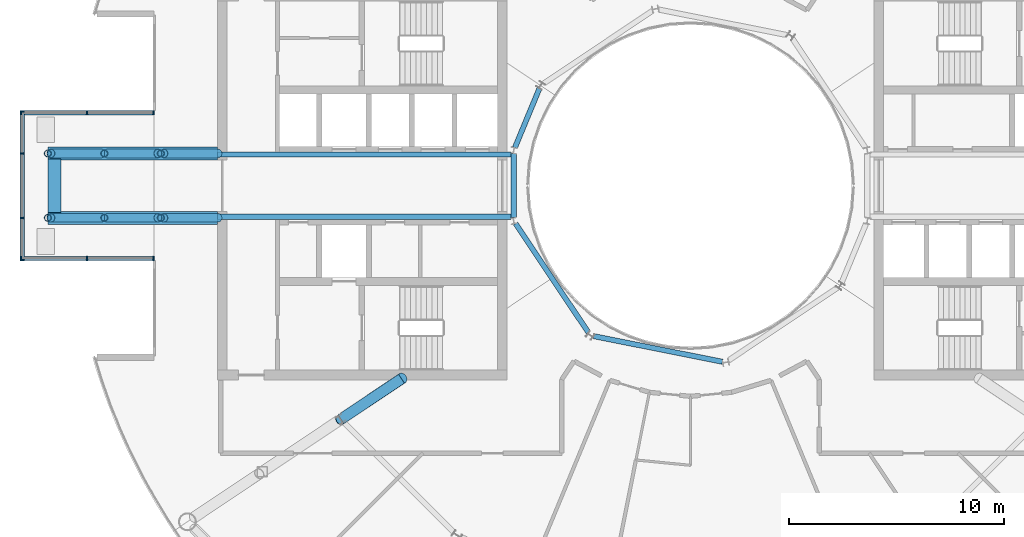
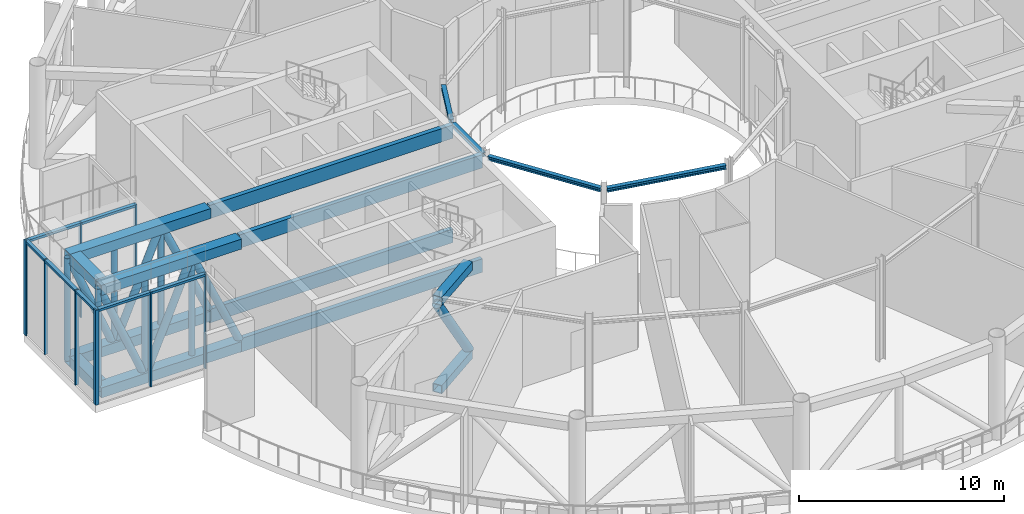
# One storey, part 6 of 24: 30 members, 16 beams, 3 elements without a shape of their own.
"""IFC4 building model written with IfcOpenShell, lengths in metres."""

import ifcopenshell
import ifcopenshell.guid

model = None  # the IFC model being written
_history = None  # IfcOwnerHistory: only IFC2X3 demands one
_inside = {}  # id of a spatial element -> (the spatial element, [elements in it])
_under = {}  # id of a project, library or spatial element -> (it, [spatial elements below it])
_declared = {}  # id of a project -> (the project, [libraries it declares])
_typed = {}  # id of a type object -> (the type object, [elements of that type])
_made_of = {}  # id of a material, layer set ... -> (it, [elements and type objects made of it])


def new_model(schema):
    """Start an empty IFC model of exactly this schema.

    Asked for "IFC4X3", IfcOpenShell would pick the latest addendum, in which some entities
    have other attributes; the version numbers below select the first issue.
    IFC2X3 requires an IfcOwnerHistory on every rooted entity: one is made here for all.
    """
    global model, _history
    if schema == "IFC4X3":
        model = ifcopenshell.file(schema_version=(4, 3, 0, 0))
    else:
        model = ifcopenshell.file(schema=schema)
    _inside.clear()
    _under.clear()
    _declared.clear()
    _typed.clear()
    _made_of.clear()
    _history = None
    if model.schema == "IFC2X3":
        org = make("IfcOrganization", Name="unknown")
        user = make(
            "IfcPersonAndOrganization",
            ThePerson=make("IfcPerson", FamilyName="unknown"),
            TheOrganization=org,
        )
        app = make(
            "IfcApplication",
            ApplicationDeveloper=org,
            Version="unknown",
            ApplicationFullName="unknown",
            ApplicationIdentifier="unknown",
        )
        _history = make(
            "IfcOwnerHistory",
            OwningUser=user,
            OwningApplication=app,
            ChangeAction="ADDED",
            CreationDate=0,
        )
    return model


def make(cls, **values):
    """One entity of the class cls with the attributes given. An attribute that is None is left unset."""
    return model.create_entity(
        cls, **{name: value for name, value in values.items() if value is not None}
    )


def rooted(cls, **values):
    """An entity with a GlobalId (a new one), such as an element, a storey or a relation."""
    return make(cls, GlobalId=ifcopenshell.guid.new(), OwnerHistory=_history, **values)


def si_unit(unit_type, name, prefix=None):
    """IfcSIUnit, for example si_unit("LENGTHUNIT", "METRE", prefix="MILLI")."""
    return make("IfcSIUnit", UnitType=unit_type, Prefix=prefix, Name=name)


def assignment(units):
    """IfcUnitAssignment: the units of a project."""
    return None if units is None else make("IfcUnitAssignment", Units=units)


def point(xyz):
    """IfcCartesianPoint."""
    return None if xyz is None else make("IfcCartesianPoint", Coordinates=xyz)


def direction(xyz):
    """IfcDirection."""
    return None if xyz is None else make("IfcDirection", DirectionRatios=xyz)


def frame(location, z_axis=None, x_axis=None):
    """IfcAxis2Placement3D, a coordinate frame: its origin and axes. An axis left out is left unset."""
    return make(
        "IfcAxis2Placement3D",
        Location=point(location),
        Axis=direction(z_axis),
        RefDirection=direction(x_axis),
    )


def frame_2d(location, x_axis=None):
    """IfcAxis2Placement2D, a coordinate frame in the plane: its origin and x axis."""
    return make(
        "IfcAxis2Placement2D", Location=point(location), RefDirection=direction(x_axis)
    )


def origin():
    """The frame at (0, 0, 0) with its axes left unset."""
    return frame((0.0, 0.0, 0.0))


def origin_2d():
    """The frame at (0, 0) in the plane with its x axis left unset."""
    return frame_2d((0.0, 0.0))


def place(relative_to, where):
    """IfcLocalPlacement: puts the frame where relative to a parent placement (None: the world)."""
    return make(
        "IfcLocalPlacement", PlacementRelTo=relative_to, RelativePlacement=where
    )


def context(
    kind, dimensions, precision=None, world=None, true_north=None, identifier=None
):
    """IfcGeometricRepresentationContext, for example the 3D "Model" context."""
    return make(
        "IfcGeometricRepresentationContext",
        ContextIdentifier=identifier,
        ContextType=kind,
        CoordinateSpaceDimension=dimensions,
        Precision=precision,
        WorldCoordinateSystem=world,
        TrueNorth=true_north,
    )


def subcontext(parent, identifier, kind, view, scale=None):
    """IfcGeometricRepresentationSubContext, for example "Body" below "Model"."""
    return make(
        "IfcGeometricRepresentationSubContext",
        ContextIdentifier=identifier,
        ContextType=kind,
        ParentContext=parent,
        TargetScale=scale,
        TargetView=view,
    )


def project(units=None, contexts=None):
    """IfcProject with its units and contexts."""
    return rooted(
        "IfcProject",
        Name="project",
        RepresentationContexts=contexts,
        UnitsInContext=assignment(units),
    )


def spatial(cls, under=None, at=None, **own):
    """A site, building, storey or space (cls), placed at a placement, below another one or the project."""
    s = rooted(cls, ObjectPlacement=at, **own)
    if under is not None:
        _under.setdefault(under.id(), (under, []))[1].append(s)
    return s


def profile(cls, at=None, kind="AREA", **sizes):
    """A parametric profile (cls). Its sizes go by their IFC names, for example OverallWidth=200.0."""
    return make(cls, ProfileType=kind, Position=at, **sizes)


def rectangle(**sizes):
    """IfcRectangleProfileDef."""
    return profile("IfcRectangleProfileDef", **sizes)


def hollow_rectangle(**sizes):
    """IfcRectangleHollowProfileDef."""
    return profile("IfcRectangleHollowProfileDef", **sizes)


def hollow_circle(**sizes):
    """IfcCircleHollowProfileDef."""
    return profile("IfcCircleHollowProfileDef", **sizes)


def i_section(**sizes):
    """IfcIShapeProfileDef."""
    return profile("IfcIShapeProfileDef", **sizes)


def extrude(swept, where, along, depth):
    """IfcExtrudedAreaSolid: the profile swept, set in the frame where, extruded along a direction by depth."""
    return make(
        "IfcExtrudedAreaSolid",
        SweptArea=swept,
        Position=where,
        ExtrudedDirection=direction(along),
        Depth=depth,
    )


def shape(context_of_items, identifier, shape_type, items):
    """IfcShapeRepresentation: the items that make up one representation, for example the "Body"."""
    return make(
        "IfcShapeRepresentation",
        ContextOfItems=context_of_items,
        RepresentationIdentifier=identifier,
        RepresentationType=shape_type,
        Items=items,
    )


def material(Name=None, Category=None):
    """IfcMaterial."""
    return make("IfcMaterial", Name=Name, Category=Category)


def layer(
    of_material, thickness, ventilated=None, Name=None, Category=None, Priority=None
):
    """IfcMaterialLayer: one layer of a wall or slab, of a material (None: an air gap)."""
    return make(
        "IfcMaterialLayer",
        Material=of_material,
        LayerThickness=thickness,
        IsVentilated=ventilated,
        Name=Name,
        Category=Category,
        Priority=Priority,
    )


def layer_set(layers, Name=None):
    """IfcMaterialLayerSet."""
    return make("IfcMaterialLayerSet", MaterialLayers=layers, LayerSetName=Name)


def material_profile(
    of_material, cross_section, Name=None, Category=None, Priority=None
):
    """IfcMaterialProfile: a cross section and its material."""
    return make(
        "IfcMaterialProfile",
        Name=Name,
        Material=of_material,
        Profile=cross_section,
        Priority=Priority,
        Category=Category,
    )


def profile_set(profiles, Name=None, composite=None):
    """IfcMaterialProfileSet."""
    return make(
        "IfcMaterialProfileSet",
        Name=Name,
        MaterialProfiles=profiles,
        CompositeProfile=composite,
    )


def made_of(thing, what):
    """Note that an element or type object is made of a material, layer set ...; save() writes the relation."""
    if what is not None:
        _made_of.setdefault(what.id(), (what, []))[1].append(thing)
    return thing


def type_object(cls, material=None, **own):
    """A type object (cls), such as IfcWallType, which elements share."""
    return made_of(rooted(cls, **own), material)


def element(
    cls,
    number,
    at=None,
    inside=None,
    cuts=None,
    type_object=None,
    material=None,
    context=None,
    identifier="Body",
    shape_type=None,
    held_by="IfcProductDefinitionShape",
    body=None,
    shapes=None,
    **own,
):
    """One element of the class cls, such as IfcWall. Its Tag is "e" and its number.

    at: its placement. inside: the storey or other place that contains it. cuts: it is an
    opening in that element (IfcRelVoidsElement). A single representation is given by context,
    identifier, shape_type and body (its items); several are given by shapes. held_by: the class
    of the entity that holds the representations. save() writes the other relations.
    """
    e = rooted(cls, Tag="e%d" % number, ObjectPlacement=at, **own)
    if body is not None:
        shapes = [shape(context, identifier, shape_type, body)]
    if shapes is not None:
        e.Representation = make(held_by, Representations=shapes)
    if inside is not None:
        _inside.setdefault(inside.id(), (inside, []))[1].append(e)
    if cuts is not None:
        rooted(
            "IfcRelVoidsElement", RelatingBuildingElement=cuts, RelatedOpeningElement=e
        )
    if type_object is not None:
        _typed.setdefault(type_object.id(), (type_object, []))[1].append(e)
    return made_of(e, material)


def aggregate(whole, parts):
    """IfcRelAggregates: a whole, such as a stair, and the parts it consists of."""
    return rooted("IfcRelAggregates", RelatingObject=whole, RelatedObjects=parts)


def save(model, path):
    """Write the relations noted so far, then the file.

    IfcRelAggregates (storeys below a building ...), IfcRelContainedInSpatialStructure (elements
    in a storey), IfcRelDefinesByType, IfcRelAssociatesMaterial and IfcRelDeclares: one each for
    every whole, place, type object, material and project.
    """
    for whole, parts in _under.values():
        aggregate(whole, parts)
    for where, things in _inside.values():
        rooted(
            "IfcRelContainedInSpatialStructure",
            RelatedElements=things,
            RelatingStructure=where,
        )
    for kind, things in _typed.values():
        rooted("IfcRelDefinesByType", RelatedObjects=things, RelatingType=kind)
    for what, things in _made_of.values():
        rooted("IfcRelAssociatesMaterial", RelatedObjects=things, RelatingMaterial=what)
    for by, libraries in _declared.values():
        rooted("IfcRelDeclares", RelatingContext=by, RelatedDefinitions=libraries)
    model.write(path)


model = new_model("IFC4")

# Units and contexts
model_context = context("Model", 3, precision=1e-05, world=origin(), true_north=direction((0.0, 1.0)))
body_context = subcontext(model_context, "Body", "Model", "MODEL_VIEW")
ifc_project = project(units=[si_unit("LENGTHUNIT", "METRE"), si_unit("AREAUNIT", "SQUARE_METRE"), si_unit("VOLUMEUNIT", "CUBIC_METRE"), si_unit("PLANEANGLEUNIT", "RADIAN"), si_unit("MASSUNIT", "GRAM", prefix="KILO")], contexts=[model_context])

# Site, building, storey
site_placement = place(None, origin())
site = spatial("IfcSite", under=ifc_project, at=site_placement, CompositionType="ELEMENT")
building_placement = place(site_placement, origin())
building = spatial("IfcBuilding", under=site, at=building_placement, Name="Maasbend Ring Residences", CompositionType="ELEMENT")
storey_placement = place(building_placement, frame((0.0, 0.0, 221.85009765625)))
storey = spatial("IfcBuildingStorey", under=building, at=storey_placement, Name="L64", CompositionType="ELEMENT", Elevation=221.85009765625)

# Curtain wall, members
ifc_material_1 = material(Name="Aluminium and clear glass", Category="aluminium")
ifc_layer = layer(ifc_material_1, 0.199951171875)
ifc_layer_set = layer_set([ifc_layer], Name="CW-GR")
curtain_wall_type = type_object("IfcCurtainWallType", Name="CW-GR", PredefinedType="NOTDEFINED", material=ifc_layer_set)
curtain_wall_1_placement = place(storey_placement, origin())
curtain_wall_1 = element("IfcCurtainWall", 1, at=curtain_wall_1_placement, inside=storey, type_object=curtain_wall_type, Name="Glass lounge curtain wall tip", PredefinedType="NOTDEFINED")
ifc_material_2 = material(Name="Aluminium 6063-T6", Category="aluminium")
ifc_material_profile_1 = material_profile(ifc_material_2, rectangle(XDim=0.199951171875, YDim=0.070068359375, at=origin_2d()), Name="AL 200x70")
ifc_profile_set_1 = profile_set([ifc_material_profile_1], Name="Aluminium 6063-T6")
member_type_1 = type_object("IfcMemberType", Name="CWM-GR", PredefinedType="MULLION", material=ifc_profile_set_1)
member_1_placement = place(storey_placement, frame((-31.14990234375, -3.465087890625, 0.0), z_axis=(0.0, 0.0, 1.0), x_axis=(-1.0, 0.0, 0.0)))
member_1 = element("IfcMember", 2, at=member_1_placement, type_object=member_type_1, Name="Mullion glass room", PredefinedType="MULLION", context=body_context, shape_type="SweptSolid", body=[
    extrude(rectangle(XDim=0.199951171875, YDim=0.070068359375, at=origin_2d()), origin(), (0.0, 0.0, 1.0), 5.64990234375),
])
member_2_placement = place(storey_placement, frame((-31.14990234375, -1.5, 0.0), z_axis=(0.0, 0.0, 1.0), x_axis=(-1.0, 0.0, 0.0)))
member_2 = element("IfcMember", 3, at=member_2_placement, type_object=member_type_1, Name="Mullion glass room", PredefinedType="MULLION", context=body_context, shape_type="SweptSolid", body=[
    extrude(rectangle(XDim=0.199951171875, YDim=0.070068359375, at=origin_2d()), origin(), (0.0, 0.0, 1.0), 5.64990234375),
])
member_3_placement = place(storey_placement, frame((-31.14990234375, 1.5, 0.0), z_axis=(0.0, 0.0, 1.0), x_axis=(-1.0, 0.0, 0.0)))
member_3 = element("IfcMember", 4, at=member_3_placement, type_object=member_type_1, Name="Mullion glass room", PredefinedType="MULLION", context=body_context, shape_type="SweptSolid", body=[
    extrude(rectangle(XDim=0.199951171875, YDim=0.070068359375, at=origin_2d()), origin(), (0.0, 0.0, 1.0), 5.64990234375),
])
member_4_placement = place(storey_placement, frame((-31.14990234375, 3.465087890625, 0.0), z_axis=(0.0, 0.0, 1.0), x_axis=(-1.0, 0.0, 0.0)))
member_4 = element("IfcMember", 5, at=member_4_placement, type_object=member_type_1, Name="Mullion glass room", PredefinedType="MULLION", context=body_context, shape_type="SweptSolid", body=[
    extrude(rectangle(XDim=0.199951171875, YDim=0.070068359375, at=origin_2d()), origin(), (0.0, 0.0, 1.0), 5.64990234375),
])

curtain_wall_2_placement = place(storey_placement, origin())
curtain_wall_2 = element("IfcCurtainWall", 6, at=curtain_wall_2_placement, inside=storey, type_object=curtain_wall_type, Name="Glass lounge curtain wall south", PredefinedType="NOTDEFINED")
member_5_placement = place(storey_placement, frame((-25.034912109375, -3.39990234375, 0.0), z_axis=(0.0, 0.0, 1.0), x_axis=(0.0, -1.0, 0.0)))
member_5 = element("IfcMember", 7, at=member_5_placement, type_object=member_type_1, Name="Mullion glass room", PredefinedType="MULLION", context=body_context, shape_type="SweptSolid", body=[
    extrude(rectangle(XDim=0.199951171875, YDim=0.070068359375, at=origin_2d()), origin(), (0.0, 0.0, 1.0), 5.64990234375),
])
member_6_placement = place(storey_placement, frame((-28.125, -3.39990234375, 0.0), z_axis=(0.0, 0.0, 1.0), x_axis=(0.0, -1.0, 0.0)))
member_6 = element("IfcMember", 8, at=member_6_placement, type_object=member_type_1, Name="Mullion glass room", PredefinedType="MULLION", context=body_context, shape_type="SweptSolid", body=[
    extrude(rectangle(XDim=0.199951171875, YDim=0.070068359375, at=origin_2d()), origin(), (0.0, 0.0, 1.0), 5.64990234375),
])
member_7_placement = place(storey_placement, frame((-31.215087890625, -3.39990234375, 0.0), z_axis=(0.0, 0.0, 1.0), x_axis=(0.0, -1.0, 0.0)))
member_7 = element("IfcMember", 9, at=member_7_placement, type_object=member_type_1, Name="Mullion glass room", PredefinedType="MULLION", context=body_context, shape_type="SweptSolid", body=[
    extrude(rectangle(XDim=0.199951171875, YDim=0.070068359375, at=origin_2d()), origin(), (0.0, 0.0, 1.0), 5.64990234375),
])

curtain_wall_3_placement = place(storey_placement, origin())
curtain_wall_3 = element("IfcCurtainWall", 10, at=curtain_wall_3_placement, inside=storey, type_object=curtain_wall_type, Name="Glass lounge curtain wall north", PredefinedType="NOTDEFINED")
member_8_placement = place(storey_placement, frame((-25.034912109375, 3.39990234375, 0.0), z_axis=(0.0, 0.0, 1.0), x_axis=(0.0, -1.0, 0.0)))
member_8 = element("IfcMember", 11, at=member_8_placement, type_object=member_type_1, Name="Mullion glass room", PredefinedType="MULLION", context=body_context, shape_type="SweptSolid", body=[
    extrude(rectangle(XDim=0.199951171875, YDim=0.070068359375, at=origin_2d()), origin(), (0.0, 0.0, 1.0), 5.64990234375),
])
member_9_placement = place(storey_placement, frame((-28.125, 3.39990234375, 0.0), z_axis=(0.0, 0.0, 1.0), x_axis=(0.0, -1.0, 0.0)))
member_9 = element("IfcMember", 12, at=member_9_placement, type_object=member_type_1, Name="Mullion glass room", PredefinedType="MULLION", context=body_context, shape_type="SweptSolid", body=[
    extrude(rectangle(XDim=0.199951171875, YDim=0.070068359375, at=origin_2d()), origin(), (0.0, 0.0, 1.0), 5.64990234375),
])
member_10_placement = place(storey_placement, frame((-31.215087890625, 3.39990234375, 0.0), z_axis=(0.0, 0.0, 1.0), x_axis=(0.0, -1.0, 0.0)))
member_10 = element("IfcMember", 13, at=member_10_placement, type_object=member_type_1, Name="Mullion glass room", PredefinedType="MULLION", context=body_context, shape_type="SweptSolid", body=[
    extrude(rectangle(XDim=0.199951171875, YDim=0.070068359375, at=origin_2d()), origin(), (0.0, 0.0, 1.0), 5.64990234375),
])

# Member
ifc_material_3 = material(Name="Aluminium 6063-T6", Category="aluminium")
ifc_material_profile_2 = material_profile(ifc_material_3, rectangle(XDim=0.199951171875, YDim=0.139892578125, at=origin_2d()), Name="AL 200x140")
ifc_profile_set_2 = profile_set([ifc_material_profile_2], Name="Aluminium 6063-T6")
member_type_2 = type_object("IfcMemberType", Name="CWT-GR", PredefinedType="USERDEFINED", material=ifc_profile_set_2)
member_11_placement = place(storey_placement, frame((-31.14990234375, -3.429931640625, 5.579833984375), z_axis=(0.0, 1.0, 0.0), x_axis=(-1.0, 0.0, 0.0)))
member_11 = element("IfcMember", 14, at=member_11_placement, type_object=member_type_2, Name="Transom glass room", ObjectType="TRANSOM", PredefinedType="USERDEFINED", context=body_context, shape_type="SweptSolid", body=[
    extrude(rectangle(XDim=0.199951171875, YDim=0.139892578125, at=origin_2d()), origin(), (0.0, 0.0, 1.0), 1.89501953125),
])

member_12_placement = place(storey_placement, frame((-31.14990234375, -1.465087890625, 5.579833984375), z_axis=(0.0, 1.0, 0.0), x_axis=(-1.0, 0.0, 0.0)))
member_12 = element("IfcMember", 15, at=member_12_placement, type_object=member_type_2, Name="Transom glass room", ObjectType="TRANSOM", PredefinedType="USERDEFINED", context=body_context, shape_type="SweptSolid", body=[
    extrude(rectangle(XDim=0.199951171875, YDim=0.139892578125, at=origin_2d()), origin(), (0.0, 0.0, 1.0), 2.93017578125),
])

member_13_placement = place(storey_placement, frame((-31.14990234375, 1.534912109375, 5.579833984375), z_axis=(0.0, 1.0, 0.0), x_axis=(-1.0, 0.0, 0.0)))
member_13 = element("IfcMember", 16, at=member_13_placement, type_object=member_type_2, Name="Transom glass room", ObjectType="TRANSOM", PredefinedType="USERDEFINED", context=body_context, shape_type="SweptSolid", body=[
    extrude(rectangle(XDim=0.199951171875, YDim=0.139892578125, at=origin_2d()), origin(), (0.0, 0.0, 1.0), 1.89501953125),
])

aggregate(curtain_wall_1, [member_1, member_2, member_3, member_4, member_11, member_12, member_13])

member_14_placement = place(storey_placement, frame((-25.070068359375, -3.39990234375, 5.579833984375), z_axis=(-1.0, 0.0, 0.0), x_axis=(0.0, -1.0, 0.0)))
member_14 = element("IfcMember", 17, at=member_14_placement, type_object=member_type_2, Name="Transom glass room", ObjectType="TRANSOM", PredefinedType="USERDEFINED", context=body_context, shape_type="SweptSolid", body=[
    extrude(rectangle(XDim=0.199951171875, YDim=0.139892578125, at=origin_2d()), origin(), (0.0, 0.0, 1.0), 3.02001953125),
])

member_15_placement = place(storey_placement, frame((-28.159912109375, -3.39990234375, 5.579833984375), z_axis=(-1.0, 0.0, 0.0), x_axis=(0.0, -1.0, 0.0)))
member_15 = element("IfcMember", 18, at=member_15_placement, type_object=member_type_2, Name="Transom glass room", ObjectType="TRANSOM", PredefinedType="USERDEFINED", context=body_context, shape_type="SweptSolid", body=[
    extrude(rectangle(XDim=0.199951171875, YDim=0.139892578125, at=origin_2d()), origin(), (0.0, 0.0, 1.0), 3.02001953125),
])

aggregate(curtain_wall_2, [member_5, member_6, member_7, member_14, member_15])

member_16_placement = place(storey_placement, frame((-25.070068359375, 3.39990234375, 5.579833984375), z_axis=(-1.0, 0.0, 0.0), x_axis=(0.0, -1.0, 0.0)))
member_16 = element("IfcMember", 19, at=member_16_placement, type_object=member_type_2, Name="Transom glass room", ObjectType="TRANSOM", PredefinedType="USERDEFINED", context=body_context, shape_type="SweptSolid", body=[
    extrude(rectangle(XDim=0.199951171875, YDim=0.139892578125, at=origin_2d()), origin(), (0.0, 0.0, 1.0), 3.02001953125),
])

member_17_placement = place(storey_placement, frame((-28.159912109375, 3.39990234375, 5.579833984375), z_axis=(-1.0, 0.0, 0.0), x_axis=(0.0, -1.0, 0.0)))
member_17 = element("IfcMember", 20, at=member_17_placement, type_object=member_type_2, Name="Transom glass room", ObjectType="TRANSOM", PredefinedType="USERDEFINED", context=body_context, shape_type="SweptSolid", body=[
    extrude(rectangle(XDim=0.199951171875, YDim=0.139892578125, at=origin_2d()), origin(), (0.0, 0.0, 1.0), 3.02001953125),
])

aggregate(curtain_wall_3, [member_8, member_9, member_10, member_16, member_17])

# Beams
ifc_material_4 = material(Name="Steel S460M", Category="steel")
ifc_material_profile_3 = material_profile(ifc_material_4, hollow_rectangle(XDim=0.25, YDim=0.800048828125, WallThickness=0.02490234375, at=origin_2d()), Name="Glass room back-span beam BX 800x250x25")
ifc_profile_set_3 = profile_set([ifc_material_profile_3], Name="Steel S460M")
beam_type_1 = type_object("IfcBeamType", Name="Glass room back-span beam BX 800x250x25", PredefinedType="BEAM", material=ifc_profile_set_3)
for number, where, z_axis, x_axis, name in (
    (21, (-22.050048828125, -1.449951171875, -0.85009765625), (1.0, 0.0, 0.0), (0.0, 1.0, 0.0), "Glass room lower back-span beam W"),
    (22, (-22.050048828125, -1.449951171875, 5.349853515625), (1.0, 0.0, 0.0), (0.0, 1.0, 0.0), "Glass room back-span beam W"),
    (23, (-22.050048828125, 1.449951171875, -0.85009765625), (1.0, 0.0, 0.0), (0.0, 1.0, 0.0), "Glass room lower back-span beam W"),
    (24, (-22.050048828125, 1.449951171875, 5.349853515625), (1.0, 0.0, 0.0), (0.0, 1.0, 0.0), "Glass room back-span beam W"),
):
    element("IfcBeam", number, at=place(storey_placement, frame(where, z_axis=z_axis, x_axis=x_axis)), inside=storey, type_object=beam_type_1, Name=name, PredefinedType="BEAM", context=body_context, shape_type="SweptSolid", body=[
        extrude(hollow_rectangle(XDim=0.25, YDim=0.800048828125, WallThickness=0.02490234375, at=origin_2d()), origin(), (0.0, 0.0, 1.0), 13.680908203125),
    ])
ifc_material_5 = material(Name="Steel S460M", Category="steel")
ifc_material_profile_4 = material_profile(ifc_material_5, hollow_rectangle(XDim=0.60009765625, YDim=0.60009765625, WallThickness=0.035888671875, at=origin_2d()), Name="Glass room truss chord BX 600x600x36")
ifc_profile_set_4 = profile_set([ifc_material_profile_4], Name="Steel S460M")
beam_type_2 = type_object("IfcBeamType", Name="Glass room truss chord BX 600x600x36", PredefinedType="BEAM", material=ifc_profile_set_4)
for number, where, z_axis, x_axis, name in (
    (25, (-22.050048828125, -1.5, -0.75), (-1.0, 0.0, 0.0), (0.0, -1.0, 0.0), "Glass room truss W"),
    (26, (-22.050048828125, -1.5, 5.349853515625), (-1.0, 0.0, 0.0), (0.0, -1.0, 0.0), "Glass room truss W"),
):
    element("IfcBeam", number, at=place(storey_placement, frame(where, z_axis=z_axis, x_axis=x_axis)), inside=storey, type_object=beam_type_2, Name=name, PredefinedType="BEAM", context=body_context, shape_type="SweptSolid", body=[
        extrude(hollow_rectangle(XDim=0.60009765625, YDim=0.60009765625, WallThickness=0.035888671875, at=origin_2d()), origin(), (0.0, 0.0, 1.0), 7.89990234375),
    ])
for number, where, z_axis, x_axis, name in (
    (27, (-29.64990234375, -1.25, 5.349853515625), (0.0, 1.0, 0.0), (-1.0, 0.0, 0.0), "Glass room tip beam W"),
    (28, (-29.64990234375, -1.25, -0.75), (0.0, 1.0, 0.0), (-1.0, 0.0, 0.0), "Glass room lower tip beam W"),
):
    element("IfcBeam", number, at=place(storey_placement, frame(where, z_axis=z_axis, x_axis=x_axis)), inside=storey, type_object=beam_type_2, Name=name, PredefinedType="BEAM", context=body_context, shape_type="SweptSolid", body=[
        extrude(hollow_rectangle(XDim=0.60009765625, YDim=0.60009765625, WallThickness=0.035888671875, at=origin_2d()), origin(), (0.0, 0.0, 1.0), 2.5),
    ])
for number, where, z_axis, x_axis, name in (
    (29, (-22.050048828125, 1.5, -0.75), (-1.0, 0.0, 0.0), (0.0, -1.0, 0.0), "Glass room truss W"),
    (30, (-22.050048828125, 1.5, 5.349853515625), (-1.0, 0.0, 0.0), (0.0, -1.0, 0.0), "Glass room truss W"),
):
    element("IfcBeam", number, at=place(storey_placement, frame(where, z_axis=z_axis, x_axis=x_axis)), inside=storey, type_object=beam_type_2, Name=name, PredefinedType="BEAM", context=body_context, shape_type="SweptSolid", body=[
        extrude(hollow_rectangle(XDim=0.60009765625, YDim=0.60009765625, WallThickness=0.035888671875, at=origin_2d()), origin(), (0.0, 0.0, 1.0), 7.89990234375),
    ])

# Members
ifc_material_6 = material(Name="Steel S460NH", Category="steel")
ifc_material_profile_5 = material_profile(ifc_material_6, hollow_circle(Radius=0.203125, WallThickness=0.01611328125, at=origin_2d()), Name="Glass room truss diagonal CHS 406.4x16")
ifc_profile_set_5 = profile_set([ifc_material_profile_5], Name="Steel S460NH")
member_type_3 = type_object("IfcMemberType", Name="Glass room truss diagonal CHS 406.4x16", PredefinedType="BRACE", material=ifc_profile_set_5)
member_18_placement = place(storey_placement, frame((-22.027587890625, -1.5, -0.5), z_axis=(-0.409880137983, 0.0, 0.912139393123), x_axis=(0.0, -1.0, 0.0)))
element("IfcMember", 31, at=member_18_placement, inside=storey, type_object=member_type_3, Name="Glass room truss W diagonal", PredefinedType="BRACE", context=body_context, shape_type="SweptSolid", body=[
    extrude(hollow_circle(Radius=0.203125, WallThickness=0.01611328125, at=origin_2d()), origin(), (0.0, 0.0, 1.0), 6.13916015625),
])
for number, where, z_axis, x_axis, name in (
    (32, (-24.82421875, -1.5, 5.099853515625), (-0.387179862374, 0.0, -0.922004205073), (0.0, -1.0, 0.0), "Glass room truss W diagonal"),
    (33, (-27.45751953125, -1.5, -0.5), (-0.387179862374, 0.0, 0.922004205073), (0.0, -1.0, 0.0), "Glass room truss W diagonal"),
):
    element("IfcMember", number, at=place(storey_placement, frame(where, z_axis=z_axis, x_axis=x_axis)), inside=storey, type_object=member_type_3, Name=name, PredefinedType="BRACE", context=body_context, shape_type="SweptSolid", body=[
        extrude(hollow_circle(Radius=0.203125, WallThickness=0.01611328125, at=origin_2d()), origin(), (0.0, 0.0, 1.0), 6.073486328125),
    ])
member_19_placement = place(storey_placement, frame((-22.027587890625, 1.5, -0.5), z_axis=(-0.409880137983, 0.0, 0.912139393123), x_axis=(0.0, -1.0, 0.0)))
element("IfcMember", 34, at=member_19_placement, inside=storey, type_object=member_type_3, Name="Glass room truss W diagonal", PredefinedType="BRACE", context=body_context, shape_type="SweptSolid", body=[
    extrude(hollow_circle(Radius=0.203125, WallThickness=0.01611328125, at=origin_2d()), origin(), (0.0, 0.0, 1.0), 6.13916015625),
])
for number, where, z_axis, x_axis, name in (
    (35, (-24.82421875, 1.5, 5.099853515625), (-0.387179862374, 0.0, -0.922004205073), (0.0, -1.0, 0.0), "Glass room truss W diagonal"),
    (36, (-27.45751953125, 1.5, -0.5), (-0.387179862374, 0.0, 0.922004205073), (0.0, -1.0, 0.0), "Glass room truss W diagonal"),
):
    element("IfcMember", number, at=place(storey_placement, frame(where, z_axis=z_axis, x_axis=x_axis)), inside=storey, type_object=member_type_3, Name=name, PredefinedType="BRACE", context=body_context, shape_type="SweptSolid", body=[
        extrude(hollow_circle(Radius=0.203125, WallThickness=0.01611328125, at=origin_2d()), origin(), (0.0, 0.0, 1.0), 6.073486328125),
    ])
ifc_material_7 = material(Name="Steel S460NH", Category="steel")
ifc_material_profile_6 = material_profile(ifc_material_7, hollow_circle(Radius=0.161865234375, WallThickness=0.012451171875, at=origin_2d()), Name="Glass room truss post CHS 323.9x12.5")
ifc_profile_set_6 = profile_set([ifc_material_profile_6], Name="Steel S460NH")
member_type_4 = type_object("IfcMemberType", Name="Glass room truss post CHS 323.9x12.5", PredefinedType="POST", material=ifc_profile_set_6)
for number, where, z_axis, x_axis, name in (
    (37, (-24.683349609375, -1.5, -0.4501953125), (0.0, 0.0, 1.0), (1.0, 0.0, 0.0), "Glass room truss W post"),
    (38, (-27.316650390625, -1.5, -0.4501953125), (0.0, 0.0, 1.0), (1.0, 0.0, 0.0), "Glass room truss W post"),
):
    element("IfcMember", number, at=place(storey_placement, frame(where, z_axis=z_axis, x_axis=x_axis)), inside=storey, type_object=member_type_4, Name=name, PredefinedType="POST", context=body_context, shape_type="SweptSolid", body=[
        extrude(hollow_circle(Radius=0.161865234375, WallThickness=0.012451171875, at=origin_2d()), origin(), (0.0, 0.0, 1.0), 5.5),
    ])
member_20_placement = place(storey_placement, frame((-29.949951171875, -1.5, -0.75), z_axis=(0.0, 0.0, 1.0), x_axis=(1.0, 0.0, 0.0)))
element("IfcMember", 39, at=member_20_placement, inside=storey, type_object=member_type_4, Name="Glass room truss W post", PredefinedType="POST", context=body_context, shape_type="SweptSolid", body=[
    extrude(hollow_circle(Radius=0.161865234375, WallThickness=0.012451171875, at=origin_2d()), origin(), (0.0, 0.0, 1.0), 6.099853515625),
])
for number, where, z_axis, x_axis, name in (
    (40, (-24.683349609375, 1.5, -0.4501953125), (0.0, 0.0, 1.0), (1.0, 0.0, 0.0), "Glass room truss W post"),
    (41, (-27.316650390625, 1.5, -0.4501953125), (0.0, 0.0, 1.0), (1.0, 0.0, 0.0), "Glass room truss W post"),
):
    element("IfcMember", number, at=place(storey_placement, frame(where, z_axis=z_axis, x_axis=x_axis)), inside=storey, type_object=member_type_4, Name=name, PredefinedType="POST", context=body_context, shape_type="SweptSolid", body=[
        extrude(hollow_circle(Radius=0.161865234375, WallThickness=0.012451171875, at=origin_2d()), origin(), (0.0, 0.0, 1.0), 5.5),
    ])
member_21_placement = place(storey_placement, frame((-29.949951171875, 1.5, -0.75), z_axis=(0.0, 0.0, 1.0), x_axis=(1.0, 0.0, 0.0)))
element("IfcMember", 42, at=member_21_placement, inside=storey, type_object=member_type_4, Name="Glass room truss W post", PredefinedType="POST", context=body_context, shape_type="SweptSolid", body=[
    extrude(hollow_circle(Radius=0.161865234375, WallThickness=0.012451171875, at=origin_2d()), origin(), (0.0, 0.0, 1.0), 6.099853515625),
])

# Beams
ifc_material_8 = material(Name="Steel S460M", Category="steel")
ifc_material_profile_7 = material_profile(ifc_material_8, hollow_rectangle(XDim=0.5, YDim=0.5, WallThickness=0.030029296875, at=origin_2d()), Name="Outrigger truss chord BX 500x500x30")
ifc_profile_set_7 = profile_set([ifc_material_profile_7], Name="Steel S460M")
beam_type_3 = type_object("IfcBeamType", Name="Outrigger truss chord BX 500x500x30", PredefinedType="BEAM", material=ifc_profile_set_7)
for number, where, z_axis, x_axis, name in (
    (43, (-16.2900390625, -10.884765625, 0.25), (0.831451918965, 0.555596712058, 0.0), (-0.555596712058, 0.831451918965, 0.0), "Outrigger truss"),
    (44, (-16.2900390625, -10.884765625, 5.5), (0.831451918965, 0.555596712058, 0.0), (-0.555596712058, 0.831451918965, 0.0), "Outrigger truss"),
):
    element("IfcBeam", number, at=place(storey_placement, frame(where, z_axis=z_axis, x_axis=x_axis)), inside=storey, type_object=beam_type_3, Name=name, PredefinedType="BEAM", context=body_context, shape_type="SweptSolid", body=[
        extrude(hollow_rectangle(XDim=0.5, YDim=0.5, WallThickness=0.030029296875, at=origin_2d()), origin(), (0.0, 0.0, 1.0), 3.392333984375),
    ])

# Member
ifc_material_9 = material(Name="Steel S460NH", Category="steel")
ifc_material_profile_8 = material_profile(ifc_material_9, hollow_circle(Radius=0.25390625, WallThickness=0.02490234375, at=origin_2d()), Name="Outrigger truss diagonal CHS 508x25")
ifc_profile_set_8 = profile_set([ifc_material_profile_8], Name="Steel S460NH")
member_type_5 = type_object("IfcMemberType", Name="Outrigger truss diagonal CHS 508x25", PredefinedType="BRACE", material=ifc_profile_set_8)
member_22_placement = place(storey_placement, frame((-16.31982421875, -10.904541015625, 5.2998046875), z_axis=(0.483259075881, 0.322882769865, -0.813761256453), x_axis=(-0.555545703654, 0.831486001777, 0.0)))
element("IfcMember", 45, at=member_22_placement, inside=storey, type_object=member_type_5, Name="Outrigger truss diagonal", PredefinedType="BRACE", context=body_context, shape_type="SweptSolid", body=[
    extrude(hollow_circle(Radius=0.25390625, WallThickness=0.02490234375, at=origin_2d()), origin(), (0.0, 0.0, 1.0), 5.959716796875),
])

# Beams
ifc_material_10 = material(Name="Steel S355J2", Category="steel")
ifc_material_profile_9 = material_profile(ifc_material_10, i_section(OverallWidth=0.239990234375, OverallDepth=0.22998046875, WebThickness=0.007568359375, FlangeThickness=0.011962890625, FilletRadius=0.02099609375, at=origin_2d()), Name="HEA 240")
ifc_profile_set_9 = profile_set([ifc_material_profile_9], Name="Steel S355J2")
beam_type_4 = type_object("IfcBeamType", Name="Well edge beam HEA 240", PredefinedType="BEAM", material=ifc_profile_set_9)
beam_1_placement = place(storey_placement, frame((-7.041015625, 4.5302734375, 5.635009765625), z_axis=(-0.382614534057, -0.923908068115, 0.0), x_axis=(0.923908068115, -0.382614534057, 0.0)))
element("IfcBeam", 46, at=beam_1_placement, inside=storey, type_object=beam_type_4, Name="Well edge beam", PredefinedType="BEAM", context=body_context, shape_type="SweptSolid", body=[
    extrude(i_section(OverallWidth=0.239990234375, OverallDepth=0.22998046875, WebThickness=0.007568359375, FlangeThickness=0.011962890625, FilletRadius=0.02099609375, at=origin_2d()), origin(), (0.0, 0.0, 1.0), 2.981689453125),
])
beam_2_placement = place(storey_placement, frame((-8.238525390625, 1.490966796875, 5.635009765625), z_axis=(0.0, -1.0, 0.0), x_axis=(1.0, 0.0, 0.0)))
element("IfcBeam", 47, at=beam_2_placement, inside=storey, type_object=beam_type_4, Name="Well edge beam", PredefinedType="BEAM", context=body_context, shape_type="SweptSolid", body=[
    extrude(i_section(OverallWidth=0.239990234375, OverallDepth=0.22998046875, WebThickness=0.007568359375, FlangeThickness=0.011962890625, FilletRadius=0.02099609375, at=origin_2d()), origin(), (0.0, 0.0, 1.0), 2.98193359375),
])
for number, where, z_axis, x_axis, name in (
    (48, (-8.1513671875, -1.769287109375, 5.635009765625), (0.555584356119, -0.831460175376, 0.0), (0.831460175376, 0.555584356119, 0.0), "Well edge beam"),
    (49, (-4.512939453125, -7.014892578125, 5.635009765625), (0.980782836869, -0.195102606089, 0.0), (0.195102606089, 0.980782836869, 0.0), "Well edge beam"),
):
    element("IfcBeam", number, at=place(storey_placement, frame(where, z_axis=z_axis, x_axis=x_axis)), inside=storey, type_object=beam_type_4, Name=name, PredefinedType="BEAM", context=body_context, shape_type="SweptSolid", body=[
        extrude(i_section(OverallWidth=0.239990234375, OverallDepth=0.22998046875, WebThickness=0.007568359375, FlangeThickness=0.011962890625, FilletRadius=0.02099609375, at=origin_2d()), origin(), (0.0, 0.0, 1.0), 6.115234375),
    ])

save(model, "model.ifc")
